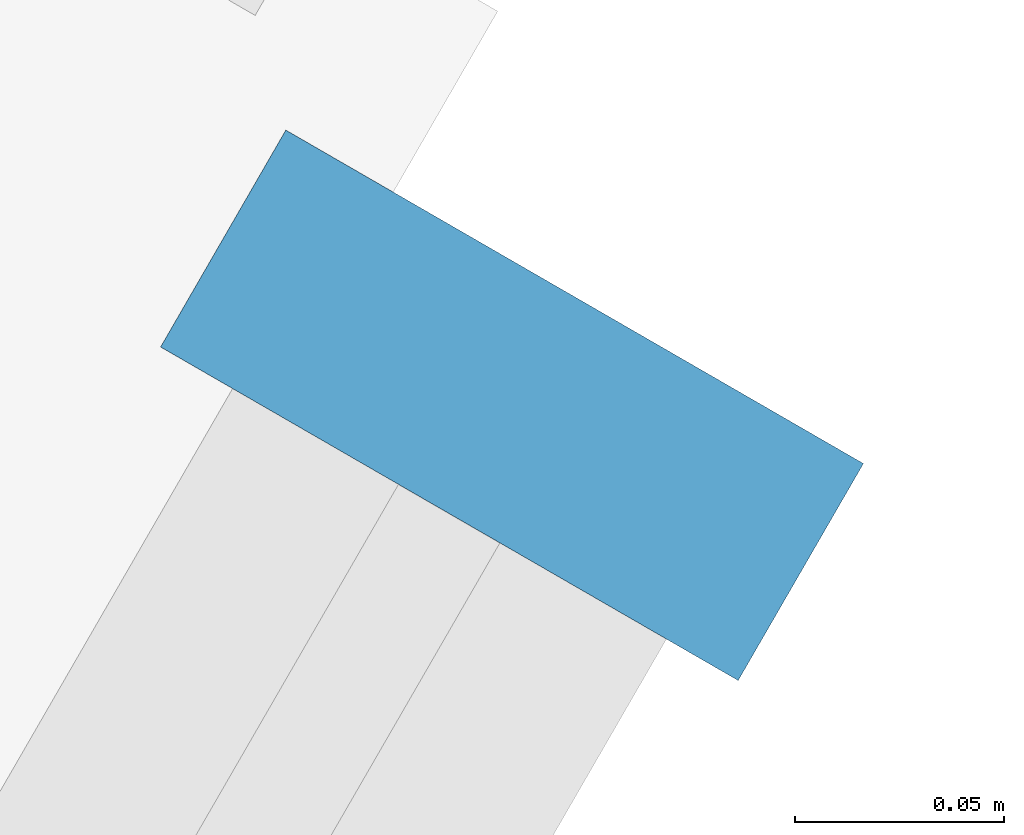
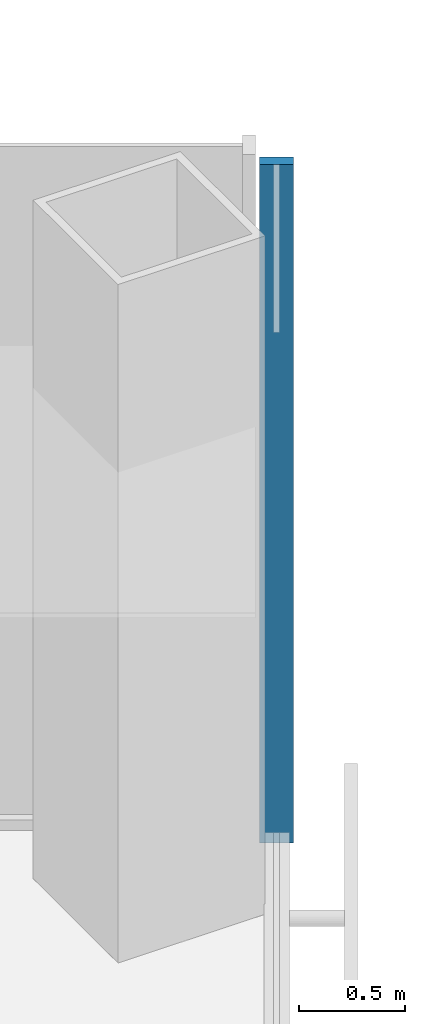
# One storey, part 9 of 18: 1 member, 1 element without a shape of its own.
"""IFC4 building model written with IfcOpenShell, lengths in metres."""

from ifc_helpers import new_model, si_unit, direction, frame, origin, origin_2d, place, context, subcontext, project, spatial, rectangle, extrude, material, material_profile, profile_set, type_object, element, aggregate, save


model = new_model("IFC4")

# Units and contexts
model_context = context("Model", 3, precision=1e-05, world=origin(), true_north=direction((0.0, 1.0)))
body_context = subcontext(model_context, "Body", "Model", "MODEL_VIEW")
ifc_project = project(units=[si_unit("LENGTHUNIT", "METRE"), si_unit("AREAUNIT", "SQUARE_METRE"), si_unit("VOLUMEUNIT", "CUBIC_METRE"), si_unit("PLANEANGLEUNIT", "RADIAN"), si_unit("MASSUNIT", "GRAM", prefix="KILO")], contexts=[model_context])

# Site, building, storey
site_placement = place(None, origin())
site = spatial("IfcSite", under=ifc_project, at=site_placement, CompositionType="ELEMENT")
building_placement = place(site_placement, origin())
building = spatial("IfcBuilding", under=site, at=building_placement, Name="Kasaneha Research Tower", CompositionType="ELEMENT")
storey_placement = place(building_placement, frame((0.0, 0.0, 76.800048828125)))
storey = spatial("IfcBuildingStorey", under=building, at=storey_placement, Name="L19", CompositionType="ELEMENT", Elevation=76.800048828125)

# Curtain wall, member
ifc_material_1 = material(Name="Glass and aluminium", Category="aluminium")
curtain_wall_type = type_object("IfcCurtainWallType", Name="Low-rise office curtain wall", PredefinedType="USERDEFINED", material=ifc_material_1)
curtain_wall_placement = place(storey_placement, origin())
curtain_wall = element("IfcCurtainWall", 1, at=curtain_wall_placement, inside=storey, type_object=curtain_wall_type, Name="CW-O1 L19 run 05a", ObjectType="UNITISED CURTAIN WALL", PredefinedType="USERDEFINED")
ifc_material_2 = material(Name="Aluminium 6063-T6", Category="aluminium")
ifc_material_profile = material_profile(ifc_material_2, rectangle(XDim=0.06005859375, YDim=0.159912109375, at=origin_2d()), Name="CW-O1 mullion 60x160")
ifc_profile_set = profile_set([ifc_material_profile], Name="Aluminium 6063-T6")
member_type = type_object("IfcMemberType", Name="CW-O1 mullion", PredefinedType="MULLION", material=ifc_profile_set)
member_placement = place(storey_placement, frame((32.012939453125, -6.39306640625, 0.0), z_axis=(0.0, 0.0, 1.0), x_axis=(0.500000011442, 0.866025397178, 0.0)))
member = element("IfcMember", 2, at=member_placement, type_object=member_type, Name="CW-O1 mullion 4", PredefinedType="MULLION", context=body_context, shape_type="SweptSolid", body=[
    extrude(rectangle(XDim=0.06005859375, YDim=0.159912109375, at=origin_2d()), origin(), (0.0, 0.0, 1.0), 3.89990234375),
])
aggregate(curtain_wall, [member])

save(model, "model.ifc")
